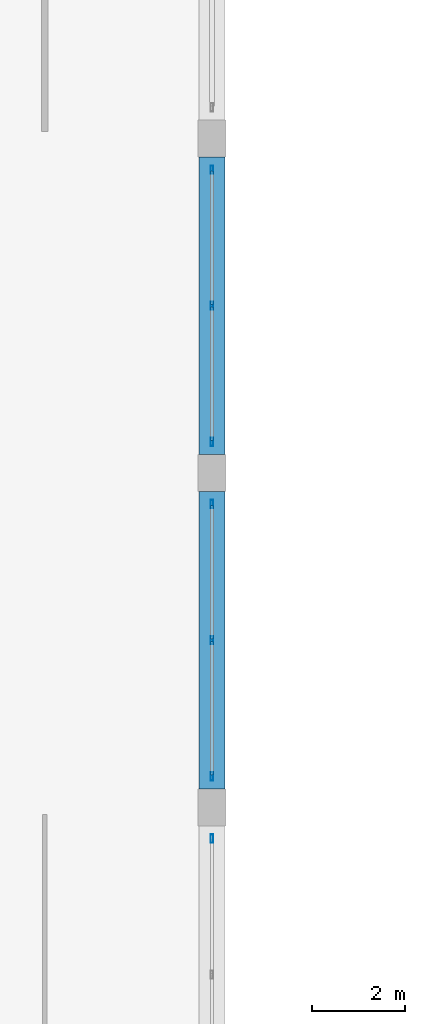
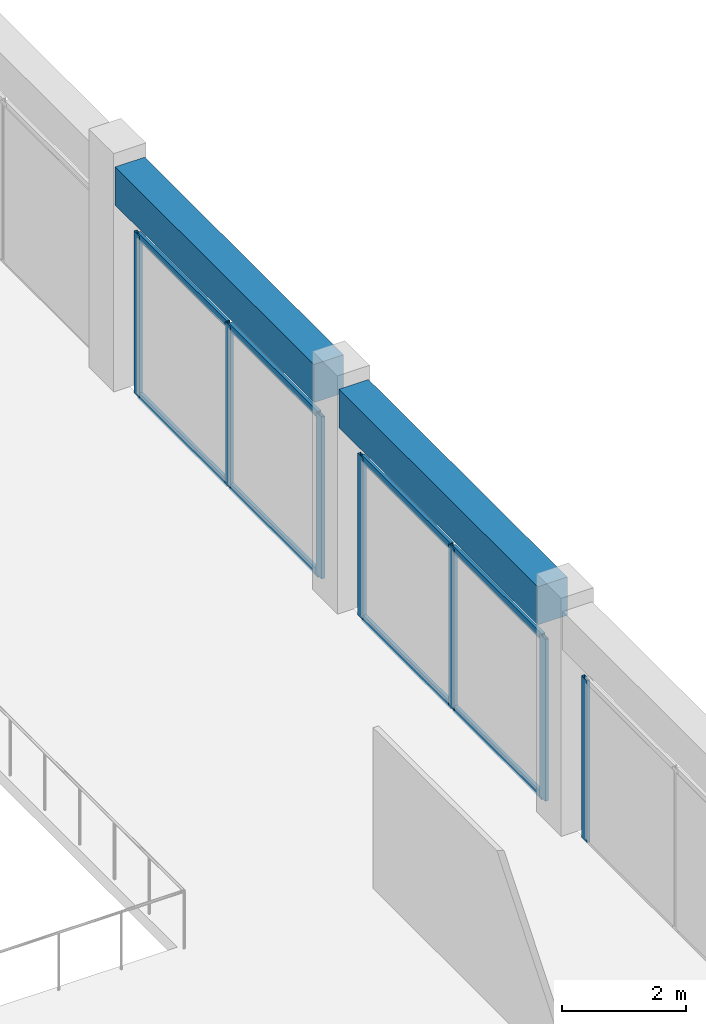
# One storey, part 23 of 55: 15 members, 2 beams, 3 elements without a shape of their own.
"""IFC4 building model written with IfcOpenShell, lengths in metres."""

from ifc_helpers import new_model, si_unit, direction, frame, origin, origin_2d, place, context, subcontext, project, spatial, rectangle, hollow_rectangle, extrude, material, material_profile, profile_set, type_object, element, aggregate, save


model = new_model("IFC4")

# Units and contexts
model_context = context("Model", 3, precision=1e-05, world=origin(), true_north=direction((0.0, 1.0)))
body_context = subcontext(model_context, "Body", "Model", "MODEL_VIEW")
ifc_project = project(units=[si_unit("LENGTHUNIT", "METRE"), si_unit("AREAUNIT", "SQUARE_METRE"), si_unit("VOLUMEUNIT", "CUBIC_METRE"), si_unit("PLANEANGLEUNIT", "RADIAN"), si_unit("MASSUNIT", "GRAM", prefix="KILO")], contexts=[model_context])

# Site, building, storey
site_placement = place(None, origin())
site = spatial("IfcSite", under=ifc_project, at=site_placement, CompositionType="ELEMENT")
building_placement = place(site_placement, origin())
building = spatial("IfcBuilding", under=site, at=building_placement, Name="Kazehaya Institute of Natural Sciences", CompositionType="ELEMENT")
storey_placement = place(building_placement, frame((0.0, 0.0, 15.1201171875)))
storey = spatial("IfcBuildingStorey", under=building, at=storey_placement, Name="L03", CompositionType="ELEMENT", Elevation=15.1201171875)

# Beams
ifc_material_1 = material(Name="Concrete Fc36", Category="concrete")
ifc_material_profile_1 = material_profile(ifc_material_1, rectangle(XDim=0.550048828125, YDim=0.75, at=origin_2d()), Name="RC-550x750")
ifc_profile_set_1 = profile_set([ifc_material_profile_1], Name="Concrete Fc36")
beam_type = type_object("IfcBeamType", Name="BM-G-550x750", PredefinedType="BEAM", material=ifc_profile_set_1)
for number, where, z_axis, x_axis, name in (
    (1, (112.199951171875, 43.199951171875, 4.034912109375), (0.0, 1.0, 0.0), (-1.0, 0.0, 0.0), "L03 primary Y girder BMY-L03-1122-428"),
    (2, (112.199951171875, 50.39990234375, 4.034912109375), (0.0, 1.0, 0.0), (-1.0, 0.0, 0.0), "L03 primary Y girder BMY-L03-1122-500"),
):
    element("IfcBeam", number, at=place(storey_placement, frame(where, z_axis=z_axis, x_axis=x_axis)), inside=storey, type_object=beam_type, Name=name, PredefinedType="BEAM", context=body_context, shape_type="SweptSolid", body=[
        extrude(rectangle(XDim=0.550048828125, YDim=0.75, at=origin_2d()), origin(), (0.0, 0.0, 1.0), 6.400146484375),
    ])

# Curtain wall, member
ifc_material_2 = material(Name="Aluminium alloy A6063S-T5", Category="aluminium")
curtain_wall_type = type_object("IfcCurtainWallType", Name="CW-SYS-04", PredefinedType="NOTDEFINED", material=ifc_material_2)
curtain_wall_1_placement = place(storey_placement, origin())
curtain_wall_1 = element("IfcCurtainWall", 3, at=curtain_wall_1_placement, inside=storey, type_object=curtain_wall_type, Name="L03 unitised curtain wall CW-L03-032", PredefinedType="NOTDEFINED")
ifc_material_profile_2 = material_profile(ifc_material_2, hollow_rectangle(XDim=0.06005859375, YDim=0.179931640625, WallThickness=0.00390625, at=origin_2d()), Name="ALU-60x180x4")
ifc_profile_set_2 = profile_set([ifc_material_profile_2], Name="Aluminium alloy A6063S-T5")
member_type_1 = type_object("IfcMemberType", Name="CWM-180", PredefinedType="MULLION", material=ifc_profile_set_2)
member_1_placement = place(storey_placement, frame((112.199951171875, 42.1298828125, 0.0), z_axis=(0.0, 0.0, 1.0), x_axis=(1.0, 0.0, 0.0)))
member_1 = element("IfcMember", 4, at=member_1_placement, type_object=member_type_1, Name="CW04 mullion 1", PredefinedType="MULLION", context=body_context, shape_type="SweptSolid", body=[
    extrude(hollow_rectangle(XDim=0.06005859375, YDim=0.179931640625, WallThickness=0.00390625, at=origin_2d()), origin(), (0.0, 0.0, 1.0), 3.179931640625),
])
aggregate(curtain_wall_1, [member_1])

# Curtain wall, members
curtain_wall_2_placement = place(storey_placement, origin())
curtain_wall_2 = element("IfcCurtainWall", 5, at=curtain_wall_2_placement, inside=storey, type_object=curtain_wall_type, Name="L03 unitised curtain wall CW-L03-034", PredefinedType="NOTDEFINED")
member_2_placement = place(storey_placement, frame((112.199951171875, 49.330078125, 0.0), z_axis=(0.0, 0.0, 1.0), x_axis=(1.0, 0.0, 0.0)))
member_2 = element("IfcMember", 6, at=member_2_placement, type_object=member_type_1, Name="CW04 mullion 1", PredefinedType="MULLION", context=body_context, shape_type="SweptSolid", body=[
    extrude(hollow_rectangle(XDim=0.06005859375, YDim=0.179931640625, WallThickness=0.00390625, at=origin_2d()), origin(), (0.0, 0.0, 1.0), 3.179931640625),
])
member_3_placement = place(storey_placement, frame((112.199951171875, 46.39990234375, 0.0), z_axis=(0.0, 0.0, 1.0), x_axis=(1.0, 0.0, 0.0)))
member_3 = element("IfcMember", 7, at=member_3_placement, type_object=member_type_1, Name="CW04 mullion 2", PredefinedType="MULLION", context=body_context, shape_type="SweptSolid", body=[
    extrude(hollow_rectangle(XDim=0.06005859375, YDim=0.179931640625, WallThickness=0.00390625, at=origin_2d()), origin(), (0.0, 0.0, 1.0), 3.179931640625),
])
member_4_placement = place(storey_placement, frame((112.199951171875, 43.469970703125, 0.0), z_axis=(0.0, 0.0, 1.0), x_axis=(1.0, 0.0, 0.0)))
member_4 = element("IfcMember", 8, at=member_4_placement, type_object=member_type_1, Name="CW04 mullion 3", PredefinedType="MULLION", context=body_context, shape_type="SweptSolid", body=[
    extrude(hollow_rectangle(XDim=0.06005859375, YDim=0.179931640625, WallThickness=0.00390625, at=origin_2d()), origin(), (0.0, 0.0, 1.0), 3.179931640625),
])

curtain_wall_3_placement = place(storey_placement, origin())
curtain_wall_3 = element("IfcCurtainWall", 9, at=curtain_wall_3_placement, inside=storey, type_object=curtain_wall_type, Name="L03 unitised curtain wall CW-L03-036", PredefinedType="NOTDEFINED")
member_5_placement = place(storey_placement, frame((112.199951171875, 56.530029296875, 0.0), z_axis=(0.0, 0.0, 1.0), x_axis=(1.0, 0.0, 0.0)))
member_5 = element("IfcMember", 10, at=member_5_placement, type_object=member_type_1, Name="CW04 mullion 1", PredefinedType="MULLION", context=body_context, shape_type="SweptSolid", body=[
    extrude(hollow_rectangle(XDim=0.06005859375, YDim=0.179931640625, WallThickness=0.00390625, at=origin_2d()), origin(), (0.0, 0.0, 1.0), 3.179931640625),
])
member_6_placement = place(storey_placement, frame((112.199951171875, 53.60009765625, 0.0), z_axis=(0.0, 0.0, 1.0), x_axis=(1.0, 0.0, 0.0)))
member_6 = element("IfcMember", 11, at=member_6_placement, type_object=member_type_1, Name="CW04 mullion 2", PredefinedType="MULLION", context=body_context, shape_type="SweptSolid", body=[
    extrude(hollow_rectangle(XDim=0.06005859375, YDim=0.179931640625, WallThickness=0.00390625, at=origin_2d()), origin(), (0.0, 0.0, 1.0), 3.179931640625),
])
member_7_placement = place(storey_placement, frame((112.199951171875, 50.669921875, 0.0), z_axis=(0.0, 0.0, 1.0), x_axis=(1.0, 0.0, 0.0)))
member_7 = element("IfcMember", 12, at=member_7_placement, type_object=member_type_1, Name="CW04 mullion 3", PredefinedType="MULLION", context=body_context, shape_type="SweptSolid", body=[
    extrude(hollow_rectangle(XDim=0.06005859375, YDim=0.179931640625, WallThickness=0.00390625, at=origin_2d()), origin(), (0.0, 0.0, 1.0), 3.179931640625),
])

# Member
ifc_material_profile_3 = material_profile(ifc_material_2, hollow_rectangle(XDim=0.06005859375, YDim=0.139892578125, WallThickness=0.00341796875, at=origin_2d()), Name="ALU-60x140x3.5")
ifc_profile_set_3 = profile_set([ifc_material_profile_3], Name="Aluminium alloy A6063S-T5")
member_type_2 = type_object("IfcMemberType", Name="CWT-140", PredefinedType="USERDEFINED", material=ifc_profile_set_3)
member_8_placement = place(storey_placement, frame((112.199951171875, 49.300048828125, 0.02978515625), z_axis=(0.0, -1.0, 0.0), x_axis=(1.0, 0.0, 0.0)))
member_8 = element("IfcMember", 13, at=member_8_placement, type_object=member_type_2, Name="CW04 transom 1.1", ObjectType="TRANSOM", PredefinedType="USERDEFINED", context=body_context, shape_type="SweptSolid", body=[
    extrude(hollow_rectangle(XDim=0.06005859375, YDim=0.139892578125, WallThickness=0.00341796875, at=origin_2d()), origin(), (0.0, 0.0, 1.0), 2.8701171875),
])

member_9_placement = place(storey_placement, frame((112.199951171875, 49.300048828125, 3.14990234375), z_axis=(0.0, -1.0, 0.0), x_axis=(1.0, 0.0, 0.0)))
member_9 = element("IfcMember", 14, at=member_9_placement, type_object=member_type_2, Name="CW04 transom 1.2", ObjectType="TRANSOM", PredefinedType="USERDEFINED", context=body_context, shape_type="SweptSolid", body=[
    extrude(hollow_rectangle(XDim=0.06005859375, YDim=0.139892578125, WallThickness=0.00341796875, at=origin_2d()), origin(), (0.0, 0.0, 1.0), 2.8701171875),
])

member_10_placement = place(storey_placement, frame((112.199951171875, 46.3701171875, 0.02978515625), z_axis=(0.0, -1.0, 0.0), x_axis=(1.0, 0.0, 0.0)))
member_10 = element("IfcMember", 15, at=member_10_placement, type_object=member_type_2, Name="CW04 transom 2.1", ObjectType="TRANSOM", PredefinedType="USERDEFINED", context=body_context, shape_type="SweptSolid", body=[
    extrude(hollow_rectangle(XDim=0.06005859375, YDim=0.139892578125, WallThickness=0.00341796875, at=origin_2d()), origin(), (0.0, 0.0, 1.0), 2.8701171875),
])

member_11_placement = place(storey_placement, frame((112.199951171875, 46.3701171875, 3.14990234375), z_axis=(0.0, -1.0, 0.0), x_axis=(1.0, 0.0, 0.0)))
member_11 = element("IfcMember", 16, at=member_11_placement, type_object=member_type_2, Name="CW04 transom 2.2", ObjectType="TRANSOM", PredefinedType="USERDEFINED", context=body_context, shape_type="SweptSolid", body=[
    extrude(hollow_rectangle(XDim=0.06005859375, YDim=0.139892578125, WallThickness=0.00341796875, at=origin_2d()), origin(), (0.0, 0.0, 1.0), 2.8701171875),
])

aggregate(curtain_wall_2, [member_2, member_3, member_4, member_8, member_9, member_10, member_11])

member_12_placement = place(storey_placement, frame((112.199951171875, 56.5, 0.02978515625), z_axis=(0.0, -1.0, 0.0), x_axis=(1.0, 0.0, 0.0)))
member_12 = element("IfcMember", 17, at=member_12_placement, type_object=member_type_2, Name="CW04 transom 1.1", ObjectType="TRANSOM", PredefinedType="USERDEFINED", context=body_context, shape_type="SweptSolid", body=[
    extrude(hollow_rectangle(XDim=0.06005859375, YDim=0.139892578125, WallThickness=0.00341796875, at=origin_2d()), origin(), (0.0, 0.0, 1.0), 2.8701171875),
])

member_13_placement = place(storey_placement, frame((112.199951171875, 56.5, 3.14990234375), z_axis=(0.0, -1.0, 0.0), x_axis=(1.0, 0.0, 0.0)))
member_13 = element("IfcMember", 18, at=member_13_placement, type_object=member_type_2, Name="CW04 transom 1.2", ObjectType="TRANSOM", PredefinedType="USERDEFINED", context=body_context, shape_type="SweptSolid", body=[
    extrude(hollow_rectangle(XDim=0.06005859375, YDim=0.139892578125, WallThickness=0.00341796875, at=origin_2d()), origin(), (0.0, 0.0, 1.0), 2.8701171875),
])

member_14_placement = place(storey_placement, frame((112.199951171875, 53.570068359375, 0.02978515625), z_axis=(0.0, -1.0, 0.0), x_axis=(1.0, 0.0, 0.0)))
member_14 = element("IfcMember", 19, at=member_14_placement, type_object=member_type_2, Name="CW04 transom 2.1", ObjectType="TRANSOM", PredefinedType="USERDEFINED", context=body_context, shape_type="SweptSolid", body=[
    extrude(hollow_rectangle(XDim=0.06005859375, YDim=0.139892578125, WallThickness=0.00341796875, at=origin_2d()), origin(), (0.0, 0.0, 1.0), 2.8701171875),
])

member_15_placement = place(storey_placement, frame((112.199951171875, 53.570068359375, 3.14990234375), z_axis=(0.0, -1.0, 0.0), x_axis=(1.0, 0.0, 0.0)))
member_15 = element("IfcMember", 20, at=member_15_placement, type_object=member_type_2, Name="CW04 transom 2.2", ObjectType="TRANSOM", PredefinedType="USERDEFINED", context=body_context, shape_type="SweptSolid", body=[
    extrude(hollow_rectangle(XDim=0.06005859375, YDim=0.139892578125, WallThickness=0.00341796875, at=origin_2d()), origin(), (0.0, 0.0, 1.0), 2.8701171875),
])

aggregate(curtain_wall_3, [member_5, member_6, member_7, member_12, member_13, member_14, member_15])

save(model, "model.ifc")
